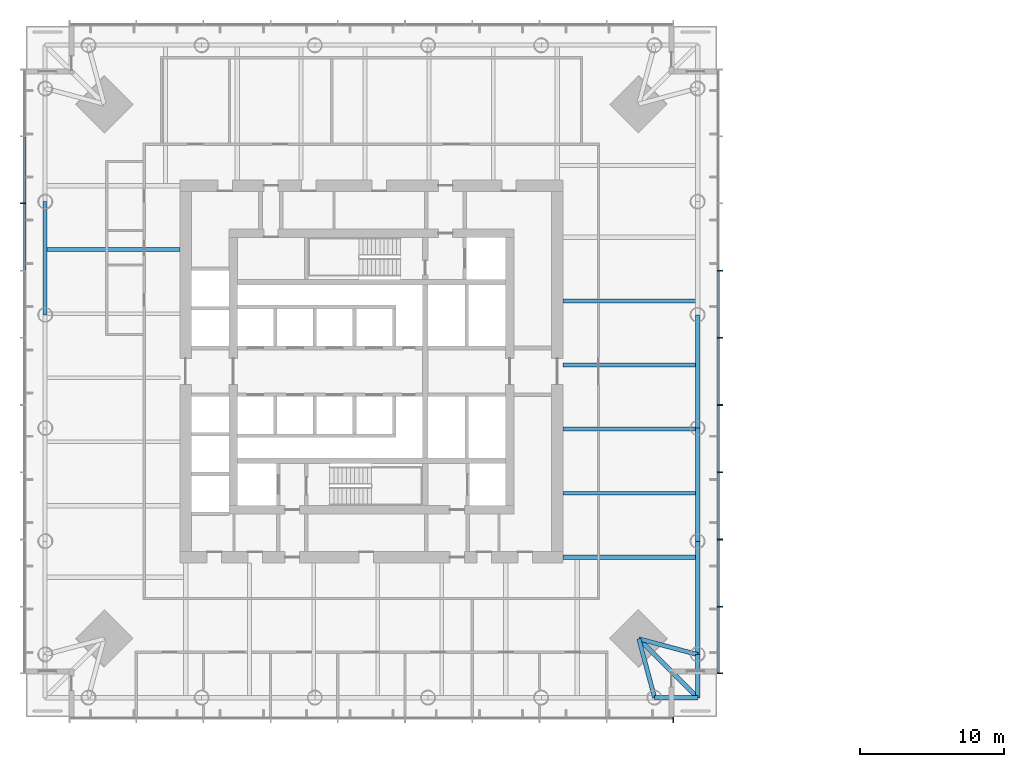
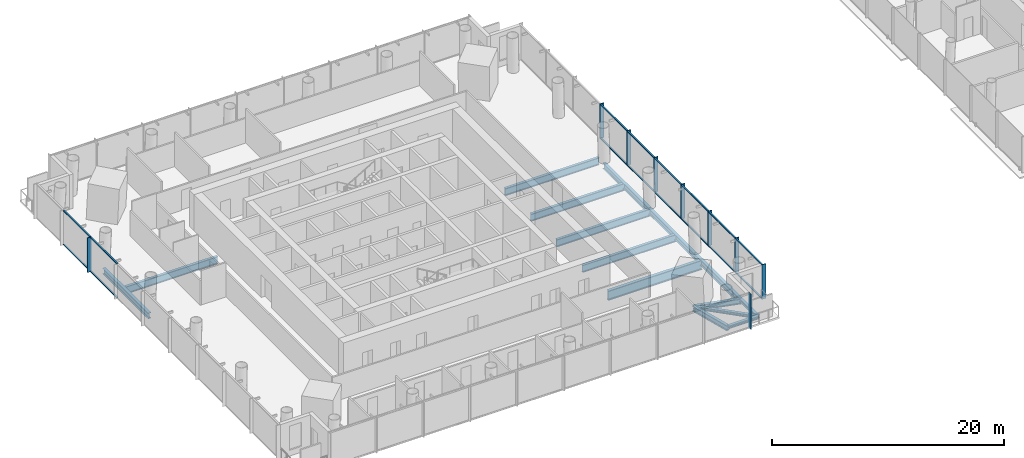
# One storey, part 3 of 22: 25 members, 15 beams, 3 elements without a shape of their own.
"""IFC4 building model written with IfcOpenShell, lengths in metres."""

from ifc_helpers import new_model, si_unit, direction, frame, origin, origin_2d, place, context, subcontext, project, spatial, rectangle, i_section, extrude, material, material_profile, profile_set, type_object, element, aggregate, save


model = new_model("IFC4")

# Units and contexts
model_context = context("Model", 3, precision=1e-05, world=origin(), true_north=direction((0.0, 1.0)))
body_context = subcontext(model_context, "Body", "Model", "MODEL_VIEW")
ifc_project = project(units=[si_unit("LENGTHUNIT", "METRE"), si_unit("AREAUNIT", "SQUARE_METRE"), si_unit("VOLUMEUNIT", "CUBIC_METRE"), si_unit("PLANEANGLEUNIT", "RADIAN"), si_unit("MASSUNIT", "GRAM", prefix="KILO")], contexts=[model_context])

# Site, building, storey
site_placement = place(None, origin())
site = spatial("IfcSite", under=ifc_project, at=site_placement, CompositionType="ELEMENT")
building_placement = place(site_placement, origin())
building = spatial("IfcBuilding", under=site, at=building_placement, Name="Ostroluk Exchange", CompositionType="ELEMENT")
storey_placement = place(building_placement, frame((0.0, 0.0, 62.800048828125)))
storey = spatial("IfcBuildingStorey", under=building, at=storey_placement, Name="L15", CompositionType="ELEMENT", Elevation=62.800048828125)

# Beams
ifc_material_1 = material(Name="Steel S355", Category="steel")
ifc_material_profile_1 = material_profile(ifc_material_1, i_section(OverallWidth=0.300048828125, OverallDepth=0.300048828125, WebThickness=0.010986328125, FlangeThickness=0.01904296875, FilletRadius=0.027099609375, at=origin_2d()), Name="HEB 300")
ifc_profile_set_1 = profile_set([ifc_material_profile_1], Name="Steel S355")
beam_type_1 = type_object("IfcBeamType", Name="Balcony beam HEB 300", PredefinedType="BEAM", material=ifc_profile_set_1)
for number, where, z_axis, x_axis, name in (
    (1, (64.664306640625, 23.335693359375, -0.330078125), (1.0, 0.0, 0.0), (0.0, 1.0, 0.0), "T1 south balcony beam a"),
    (2, (67.664306640625, 26.335693359375, -0.330078125), (0.0, -1.0, 0.0), (1.0, 0.0, 0.0), "T1 south balcony beam b"),
):
    element("IfcBeam", number, at=place(storey_placement, frame(where, z_axis=z_axis, x_axis=x_axis)), inside=storey, type_object=beam_type_1, Name=name, PredefinedType="BEAM", context=body_context, shape_type="SweptSolid", body=[
        extrude(i_section(OverallWidth=0.300048828125, OverallDepth=0.300048828125, WebThickness=0.010986328125, FlangeThickness=0.01904296875, FilletRadius=0.027099609375, at=origin_2d()), origin(), (0.0, 0.0, 1.0), 3.0),
    ])
beam_1_placement = place(storey_placement, frame((63.564208984375, 27.435791015625, -0.330078125), z_axis=(0.707106781187, -0.707106781187, 0.0), x_axis=(0.707106781187, 0.707106781187, 0.0)))
element("IfcBeam", 3, at=beam_1_placement, inside=storey, type_object=beam_type_1, Name="T1 south balcony beam c", PredefinedType="BEAM", context=body_context, shape_type="SweptSolid", body=[
    extrude(i_section(OverallWidth=0.300048828125, OverallDepth=0.300048828125, WebThickness=0.010986328125, FlangeThickness=0.01904296875, FilletRadius=0.027099609375, at=origin_2d()), origin(), (0.0, 0.0, 1.0), 5.79833984375),
])
ifc_material_2 = material(Name="Steel S355", Category="steel")
ifc_material_profile_2 = material_profile(ifc_material_2, i_section(OverallWidth=0.300048828125, OverallDepth=0.550048828125, WebThickness=0.014892578125, FlangeThickness=0.029052734375, FilletRadius=0.027099609375, at=origin_2d()), Name="HEB 550")
ifc_profile_set_2 = profile_set([ifc_material_profile_2], Name="Steel S355")
beam_type_2 = type_object("IfcBeamType", Name="Corner edge beam HEB 550", PredefinedType="SPANDREL", material=ifc_profile_set_2)
for number, where, z_axis, x_axis, name in (
    (4, (63.564208984375, 27.435791015625, -0.455078125), (0.259144268261, -0.965838624319, 0.0), (0.965838624319, 0.259144268261, 0.0), "T1 south corner edge beam a"),
    (5, (63.564208984375, 27.435791015625, -0.455078125), (0.965838624319, -0.259144268261, 0.0), (0.259144268261, 0.965838624319, 0.0), "T1 south corner edge beam b"),
):
    element("IfcBeam", number, at=place(storey_placement, frame(where, z_axis=z_axis, x_axis=x_axis)), inside=storey, type_object=beam_type_2, Name=name, PredefinedType="SPANDREL", context=body_context, shape_type="SweptSolid", body=[
        extrude(i_section(OverallWidth=0.300048828125, OverallDepth=0.550048828125, WebThickness=0.014892578125, FlangeThickness=0.029052734375, FilletRadius=0.027099609375, at=origin_2d()), origin(), (0.0, 0.0, 1.0), 4.2451171875),
    ])
ifc_material_3 = material(Name="Steel S355", Category="steel")
ifc_material_profile_3 = material_profile(ifc_material_3, i_section(OverallWidth=0.26806640625, OverallDepth=0.77001953125, WebThickness=0.015625, FlangeThickness=0.025390625, FilletRadius=0.01708984375, at=origin_2d()), Name="IPE 750x196")
ifc_profile_set_3 = profile_set([ifc_material_profile_3], Name="Steel S355")
beam_type_3 = type_object("IfcBeamType", Name="Floor beam IPE 750x196", PredefinedType="BEAM", material=ifc_profile_set_3)
for number, where, z_axis, x_axis, name in (
    (6, (58.300048828125, 37.545654296875, -0.56494140625), (1.0, 0.0, 0.0), (0.0, 1.0, 0.0), "T1 east floor beam 1"),
    (7, (58.300048828125, 41.990966796875, -0.56494140625), (1.0, 0.0, 0.0), (0.0, 1.0, 0.0), "T1 east floor beam 2"),
    (8, (58.300048828125, 46.4365234375, -0.56494140625), (1.0, 0.0, 0.0), (0.0, 1.0, 0.0), "T1 east floor beam 3"),
    (9, (58.300048828125, 50.882080078125, -0.56494140625), (1.0, 0.0, 0.0), (0.0, 1.0, 0.0), "T1 east floor beam 4"),
    (10, (31.699951171875, 54.454345703125, -0.56494140625), (-1.0, 0.0, 0.0), (0.0, -1.0, 0.0), "T1 west floor beam 1"),
):
    element("IfcBeam", number, at=place(storey_placement, frame(where, z_axis=z_axis, x_axis=x_axis)), inside=storey, type_object=beam_type_3, Name=name, PredefinedType="BEAM", context=body_context, shape_type="SweptSolid", body=[
        extrude(i_section(OverallWidth=0.26806640625, OverallDepth=0.77001953125, WebThickness=0.015625, FlangeThickness=0.025390625, FilletRadius=0.01708984375, at=origin_2d()), origin(), (0.0, 0.0, 1.0), 9.3642578125),
    ])
ifc_material_4 = material(Name="Steel S355", Category="steel")
ifc_material_profile_4 = material_profile(ifc_material_4, i_section(OverallWidth=0.302001953125, OverallDepth=1.008056640625, WebThickness=0.02099609375, FlangeThickness=0.0400390625, FilletRadius=0.030029296875, at=origin_2d()), Name="HEM 1000")
ifc_profile_set_4 = profile_set([ifc_material_profile_4], Name="Steel S355")
beam_type_4 = type_object("IfcBeamType", Name="Girder HEM 1000", PredefinedType="BEAM", material=ifc_profile_set_4)
beam_2_placement = place(storey_placement, frame((58.300048828125, 33.10009765625, -0.68408203125), z_axis=(1.0, 0.0, 0.0), x_axis=(0.0, 1.0, 0.0)))
element("IfcBeam", 11, at=beam_2_placement, inside=storey, type_object=beam_type_4, Name="T1 south girder", PredefinedType="BEAM", context=body_context, shape_type="SweptSolid", body=[
    extrude(i_section(OverallWidth=0.302001953125, OverallDepth=1.008056640625, WebThickness=0.02099609375, FlangeThickness=0.0400390625, FilletRadius=0.030029296875, at=origin_2d()), origin(), (0.0, 0.0, 1.0), 9.3642578125),
])
ifc_material_5 = material(Name="Steel S355", Category="steel")
ifc_material_profile_5 = material_profile(ifc_material_5, i_section(OverallWidth=0.300048828125, OverallDepth=0.60009765625, WebThickness=0.015380859375, FlangeThickness=0.030029296875, FilletRadius=0.027099609375, at=origin_2d()), Name="HEB 600")
ifc_profile_set_5 = profile_set([ifc_material_profile_5], Name="Steel S355")
beam_type_5 = type_object("IfcBeamType", Name="Moment-connected edge beam HEB 600", PredefinedType="SPANDREL", material=ifc_profile_set_5)
for number, where, z_axis, x_axis, name in (
    (12, (67.664306640625, 26.335693359375, -0.47998046875), (0.0, 1.0, 0.0), (-1.0, 0.0, 0.0), "T1 east edge beam 1"),
    (13, (67.664306640625, 34.201416015625, -0.47998046875), (0.0, 1.0, 0.0), (-1.0, 0.0, 0.0), "T1 east edge beam 2"),
    (14, (67.664306640625, 42.067138671875, -0.47998046875), (0.0, 1.0, 0.0), (-1.0, 0.0, 0.0), "T1 east edge beam 3"),
    (15, (22.335693359375, 57.798583984375, -0.47998046875), (0.0, -1.0, 0.0), (1.0, 0.0, 0.0), "T1 west edge beam 2"),
):
    element("IfcBeam", number, at=place(storey_placement, frame(where, z_axis=z_axis, x_axis=x_axis)), inside=storey, type_object=beam_type_5, Name=name, PredefinedType="SPANDREL", context=body_context, shape_type="SweptSolid", body=[
        extrude(i_section(OverallWidth=0.300048828125, OverallDepth=0.60009765625, WebThickness=0.015380859375, FlangeThickness=0.030029296875, FilletRadius=0.027099609375, at=origin_2d()), origin(), (0.0, 0.0, 1.0), 7.86572265625),
    ])

# Curtain wall, members
ifc_material_6 = material(Name="Laminated clear glass", Category="glass")
curtain_wall_type = type_object("IfcCurtainWallType", Name="Office tower facade", PredefinedType="USERDEFINED", material=ifc_material_6)
curtain_wall_1_placement = place(storey_placement, origin())
curtain_wall_1 = element("IfcCurtainWall", 16, at=curtain_wall_1_placement, inside=storey, type_object=curtain_wall_type, Name="Office tower east facade L15", ObjectType="UNITISED CURTAIN WALL", PredefinedType="USERDEFINED")
ifc_material_7 = material(Name="Aluminium mullion", Category="aluminium")
ifc_material_profile_6 = material_profile(ifc_material_7, rectangle(XDim=0.14990234375, YDim=0.080078125, at=origin_2d()), Name="Sill transom 80 x 150")
ifc_profile_set_6 = profile_set([ifc_material_profile_6], Name="Aluminium mullion")
member_type_1 = type_object("IfcMemberType", Name="Sill transom 80 x 150", PredefinedType="USERDEFINED", material=ifc_profile_set_6)
member_1_placement = place(storey_placement, frame((69.074951171875, 25.080078125, 0.0400390625), z_axis=(0.0, 1.0, 0.0), x_axis=(-1.0, 0.0, 0.0)))
member_1 = element("IfcMember", 17, at=member_1_placement, type_object=member_type_1, Name="CW-O1 transom 1.1", ObjectType="TRANSOM", PredefinedType="USERDEFINED", context=body_context, shape_type="SweptSolid", body=[
    extrude(rectangle(XDim=0.14990234375, YDim=0.080078125, at=origin_2d()), origin(), (0.0, 0.0, 1.0), 4.546630859375),
])
member_2_placement = place(storey_placement, frame((69.074951171875, 25.080078125, 3.60986328125), z_axis=(0.0, 1.0, 0.0), x_axis=(-1.0, 0.0, 0.0)))
member_2 = element("IfcMember", 18, at=member_2_placement, type_object=member_type_1, Name="CW-O1 transom 1.2", ObjectType="TRANSOM", PredefinedType="USERDEFINED", context=body_context, shape_type="SweptSolid", body=[
    extrude(rectangle(XDim=0.14990234375, YDim=0.080078125, at=origin_2d()), origin(), (0.0, 0.0, 1.0), 4.546630859375),
])
member_3_placement = place(storey_placement, frame((69.074951171875, 29.706787109375, 0.0400390625), z_axis=(0.0, 1.0, 0.0), x_axis=(-1.0, 0.0, 0.0)))
member_3 = element("IfcMember", 19, at=member_3_placement, type_object=member_type_1, Name="CW-O1 transom 2.1", ObjectType="TRANSOM", PredefinedType="USERDEFINED", context=body_context, shape_type="SweptSolid", body=[
    extrude(rectangle(XDim=0.14990234375, YDim=0.080078125, at=origin_2d()), origin(), (0.0, 0.0, 1.0), 4.58642578125),
])
member_4_placement = place(storey_placement, frame((69.074951171875, 29.706787109375, 3.60986328125), z_axis=(0.0, 1.0, 0.0), x_axis=(-1.0, 0.0, 0.0)))
member_4 = element("IfcMember", 20, at=member_4_placement, type_object=member_type_1, Name="CW-O1 transom 2.2", ObjectType="TRANSOM", PredefinedType="USERDEFINED", context=body_context, shape_type="SweptSolid", body=[
    extrude(rectangle(XDim=0.14990234375, YDim=0.080078125, at=origin_2d()), origin(), (0.0, 0.0, 1.0), 4.58642578125),
])
member_5_placement = place(storey_placement, frame((69.074951171875, 34.373291015625, 0.0400390625), z_axis=(0.0, 1.0, 0.0), x_axis=(-1.0, 0.0, 0.0)))
member_5 = element("IfcMember", 21, at=member_5_placement, type_object=member_type_1, Name="CW-O1 transom 3.1", ObjectType="TRANSOM", PredefinedType="USERDEFINED", context=body_context, shape_type="SweptSolid", body=[
    extrude(rectangle(XDim=0.14990234375, YDim=0.080078125, at=origin_2d()), origin(), (0.0, 0.0, 1.0), 4.586669921875),
])
member_6_placement = place(storey_placement, frame((69.074951171875, 34.373291015625, 3.60986328125), z_axis=(0.0, 1.0, 0.0), x_axis=(-1.0, 0.0, 0.0)))
member_6 = element("IfcMember", 22, at=member_6_placement, type_object=member_type_1, Name="CW-O1 transom 3.2", ObjectType="TRANSOM", PredefinedType="USERDEFINED", context=body_context, shape_type="SweptSolid", body=[
    extrude(rectangle(XDim=0.14990234375, YDim=0.080078125, at=origin_2d()), origin(), (0.0, 0.0, 1.0), 4.586669921875),
])
member_7_placement = place(storey_placement, frame((69.074951171875, 39.0400390625, 0.0400390625), z_axis=(0.0, 1.0, 0.0), x_axis=(-1.0, 0.0, 0.0)))
member_7 = element("IfcMember", 23, at=member_7_placement, type_object=member_type_1, Name="CW-O1 transom 4.1", ObjectType="TRANSOM", PredefinedType="USERDEFINED", context=body_context, shape_type="SweptSolid", body=[
    extrude(rectangle(XDim=0.14990234375, YDim=0.080078125, at=origin_2d()), origin(), (0.0, 0.0, 1.0), 4.586669921875),
])
member_8_placement = place(storey_placement, frame((69.074951171875, 39.0400390625, 3.60986328125), z_axis=(0.0, 1.0, 0.0), x_axis=(-1.0, 0.0, 0.0)))
member_8 = element("IfcMember", 24, at=member_8_placement, type_object=member_type_1, Name="CW-O1 transom 4.2", ObjectType="TRANSOM", PredefinedType="USERDEFINED", context=body_context, shape_type="SweptSolid", body=[
    extrude(rectangle(XDim=0.14990234375, YDim=0.080078125, at=origin_2d()), origin(), (0.0, 0.0, 1.0), 4.586669921875),
])
member_9_placement = place(storey_placement, frame((69.074951171875, 43.706787109375, 0.0400390625), z_axis=(0.0, 1.0, 0.0), x_axis=(-1.0, 0.0, 0.0)))
member_9 = element("IfcMember", 25, at=member_9_placement, type_object=member_type_1, Name="CW-O1 transom 5.1", ObjectType="TRANSOM", PredefinedType="USERDEFINED", context=body_context, shape_type="SweptSolid", body=[
    extrude(rectangle(XDim=0.14990234375, YDim=0.080078125, at=origin_2d()), origin(), (0.0, 0.0, 1.0), 4.58642578125),
])
member_10_placement = place(storey_placement, frame((69.074951171875, 43.706787109375, 3.60986328125), z_axis=(0.0, 1.0, 0.0), x_axis=(-1.0, 0.0, 0.0)))
member_10 = element("IfcMember", 26, at=member_10_placement, type_object=member_type_1, Name="CW-O1 transom 5.2", ObjectType="TRANSOM", PredefinedType="USERDEFINED", context=body_context, shape_type="SweptSolid", body=[
    extrude(rectangle(XDim=0.14990234375, YDim=0.080078125, at=origin_2d()), origin(), (0.0, 0.0, 1.0), 4.58642578125),
])
member_11_placement = place(storey_placement, frame((69.074951171875, 48.373291015625, 0.0400390625), z_axis=(0.0, 1.0, 0.0), x_axis=(-1.0, 0.0, 0.0)))
member_11 = element("IfcMember", 27, at=member_11_placement, type_object=member_type_1, Name="CW-O1 transom 6.1", ObjectType="TRANSOM", PredefinedType="USERDEFINED", context=body_context, shape_type="SweptSolid", body=[
    extrude(rectangle(XDim=0.14990234375, YDim=0.080078125, at=origin_2d()), origin(), (0.0, 0.0, 1.0), 4.586669921875),
])
member_12_placement = place(storey_placement, frame((69.074951171875, 48.373291015625, 3.60986328125), z_axis=(0.0, 1.0, 0.0), x_axis=(-1.0, 0.0, 0.0)))
member_12 = element("IfcMember", 28, at=member_12_placement, type_object=member_type_1, Name="CW-O1 transom 6.2", ObjectType="TRANSOM", PredefinedType="USERDEFINED", context=body_context, shape_type="SweptSolid", body=[
    extrude(rectangle(XDim=0.14990234375, YDim=0.080078125, at=origin_2d()), origin(), (0.0, 0.0, 1.0), 4.586669921875),
])

curtain_wall_2_placement = place(storey_placement, origin())
curtain_wall_2 = element("IfcCurtainWall", 29, at=curtain_wall_2_placement, inside=storey, type_object=curtain_wall_type, Name="Office tower west facade L15", ObjectType="UNITISED CURTAIN WALL", PredefinedType="USERDEFINED")
member_13_placement = place(storey_placement, frame((20.925048828125, 62.293212890625, 0.0400390625), z_axis=(0.0, -1.0, 0.0), x_axis=(1.0, 0.0, 0.0)))
member_13 = element("IfcMember", 30, at=member_13_placement, type_object=member_type_1, Name="CW-O1 transom 2.1", ObjectType="TRANSOM", PredefinedType="USERDEFINED", context=body_context, shape_type="SweptSolid", body=[
    extrude(rectangle(XDim=0.14990234375, YDim=0.080078125, at=origin_2d()), origin(), (0.0, 0.0, 1.0), 4.58642578125),
])
member_14_placement = place(storey_placement, frame((20.925048828125, 62.293212890625, 3.60986328125), z_axis=(0.0, -1.0, 0.0), x_axis=(1.0, 0.0, 0.0)))
member_14 = element("IfcMember", 31, at=member_14_placement, type_object=member_type_1, Name="CW-O1 transom 2.2", ObjectType="TRANSOM", PredefinedType="USERDEFINED", context=body_context, shape_type="SweptSolid", body=[
    extrude(rectangle(XDim=0.14990234375, YDim=0.080078125, at=origin_2d()), origin(), (0.0, 0.0, 1.0), 4.58642578125),
])
member_15_placement = place(storey_placement, frame((20.925048828125, 57.626708984375, 0.0400390625), z_axis=(0.0, -1.0, 0.0), x_axis=(1.0, 0.0, 0.0)))
member_15 = element("IfcMember", 32, at=member_15_placement, type_object=member_type_1, Name="CW-O1 transom 3.1", ObjectType="TRANSOM", PredefinedType="USERDEFINED", context=body_context, shape_type="SweptSolid", body=[
    extrude(rectangle(XDim=0.14990234375, YDim=0.080078125, at=origin_2d()), origin(), (0.0, 0.0, 1.0), 4.586669921875),
])
member_16_placement = place(storey_placement, frame((20.925048828125, 57.626708984375, 3.60986328125), z_axis=(0.0, -1.0, 0.0), x_axis=(1.0, 0.0, 0.0)))
member_16 = element("IfcMember", 33, at=member_16_placement, type_object=member_type_1, Name="CW-O1 transom 3.2", ObjectType="TRANSOM", PredefinedType="USERDEFINED", context=body_context, shape_type="SweptSolid", body=[
    extrude(rectangle(XDim=0.14990234375, YDim=0.080078125, at=origin_2d()), origin(), (0.0, 0.0, 1.0), 4.586669921875),
])

# Curtain wall, member
curtain_wall_3_placement = place(storey_placement, origin())
curtain_wall_3 = element("IfcCurtainWall", 34, at=curtain_wall_3_placement, inside=storey, type_object=curtain_wall_type, Name="Office tower south facade L15", ObjectType="UNITISED CURTAIN WALL", PredefinedType="USERDEFINED")
ifc_material_8 = material(Name="Aluminium mullion with limestone facing", Category="masonry")
ifc_material_profile_7 = material_profile(ifc_material_8, rectangle(XDim=0.39990234375, YDim=0.080078125, at=origin_2d()), Name="Tracery mullion 80 x 400")
ifc_profile_set_7 = profile_set([ifc_material_profile_7], Name="Aluminium mullion with limestone facing")
member_type_2 = type_object("IfcMemberType", Name="Tracery mullion 80 x 400", PredefinedType="MULLION", material=ifc_profile_set_7)
member_17_placement = place(storey_placement, frame((65.9599609375, 21.800048828125, 0.0), z_axis=(0.0, 0.0, 1.0), x_axis=(0.0, 1.0, 0.0)))
member_17 = element("IfcMember", 35, at=member_17_placement, type_object=member_type_2, Name="CW-O1 mullion 10", PredefinedType="MULLION", context=body_context, shape_type="SweptSolid", body=[
    extrude(rectangle(XDim=0.39990234375, YDim=0.080078125, at=origin_2d()), origin(), (0.0, 0.0, 1.0), 3.64990234375),
])
aggregate(curtain_wall_3, [member_17])

# Member
member_18_placement = place(storey_placement, frame((69.199951171875, 25.0400390625, 0.0), z_axis=(0.0, 0.0, 1.0), x_axis=(-1.0, 0.0, 0.0)))
member_18 = element("IfcMember", 36, at=member_18_placement, type_object=member_type_2, Name="CW-O1 mullion 1", PredefinedType="MULLION", context=body_context, shape_type="SweptSolid", body=[
    extrude(rectangle(XDim=0.39990234375, YDim=0.080078125, at=origin_2d()), origin(), (0.0, 0.0, 1.0), 3.64990234375),
])

member_19_placement = place(storey_placement, frame((69.199951171875, 29.666748046875, 0.0), z_axis=(0.0, 0.0, 1.0), x_axis=(-1.0, 0.0, 0.0)))
member_19 = element("IfcMember", 37, at=member_19_placement, type_object=member_type_2, Name="CW-O1 mullion 2", PredefinedType="MULLION", context=body_context, shape_type="SweptSolid", body=[
    extrude(rectangle(XDim=0.39990234375, YDim=0.080078125, at=origin_2d()), origin(), (0.0, 0.0, 1.0), 3.64990234375),
])

member_20_placement = place(storey_placement, frame((69.199951171875, 34.333251953125, 0.0), z_axis=(0.0, 0.0, 1.0), x_axis=(-1.0, 0.0, 0.0)))
member_20 = element("IfcMember", 38, at=member_20_placement, type_object=member_type_2, Name="CW-O1 mullion 3", PredefinedType="MULLION", context=body_context, shape_type="SweptSolid", body=[
    extrude(rectangle(XDim=0.39990234375, YDim=0.080078125, at=origin_2d()), origin(), (0.0, 0.0, 1.0), 3.64990234375),
])

member_21_placement = place(storey_placement, frame((69.199951171875, 39.0, 0.0), z_axis=(0.0, 0.0, 1.0), x_axis=(-1.0, 0.0, 0.0)))
member_21 = element("IfcMember", 39, at=member_21_placement, type_object=member_type_2, Name="CW-O1 mullion 4", PredefinedType="MULLION", context=body_context, shape_type="SweptSolid", body=[
    extrude(rectangle(XDim=0.39990234375, YDim=0.080078125, at=origin_2d()), origin(), (0.0, 0.0, 1.0), 3.64990234375),
])

member_22_placement = place(storey_placement, frame((69.199951171875, 43.666748046875, 0.0), z_axis=(0.0, 0.0, 1.0), x_axis=(-1.0, 0.0, 0.0)))
member_22 = element("IfcMember", 40, at=member_22_placement, type_object=member_type_2, Name="CW-O1 mullion 5", PredefinedType="MULLION", context=body_context, shape_type="SweptSolid", body=[
    extrude(rectangle(XDim=0.39990234375, YDim=0.080078125, at=origin_2d()), origin(), (0.0, 0.0, 1.0), 3.64990234375),
])

member_23_placement = place(storey_placement, frame((69.199951171875, 48.333251953125, 0.0), z_axis=(0.0, 0.0, 1.0), x_axis=(-1.0, 0.0, 0.0)))
member_23 = element("IfcMember", 41, at=member_23_placement, type_object=member_type_2, Name="CW-O1 mullion 6", PredefinedType="MULLION", context=body_context, shape_type="SweptSolid", body=[
    extrude(rectangle(XDim=0.39990234375, YDim=0.080078125, at=origin_2d()), origin(), (0.0, 0.0, 1.0), 3.64990234375),
])

member_24_placement = place(storey_placement, frame((69.199951171875, 53.0, 0.0), z_axis=(0.0, 0.0, 1.0), x_axis=(-1.0, 0.0, 0.0)))
member_24 = element("IfcMember", 42, at=member_24_placement, type_object=member_type_2, Name="CW-O1 mullion 7", PredefinedType="MULLION", context=body_context, shape_type="SweptSolid", body=[
    extrude(rectangle(XDim=0.39990234375, YDim=0.080078125, at=origin_2d()), origin(), (0.0, 0.0, 1.0), 3.64990234375),
])

aggregate(curtain_wall_1, [member_18, member_19, member_20, member_21, member_22, member_23, member_24, member_1, member_2, member_3, member_4, member_5, member_6, member_7, member_8, member_9, member_10, member_11, member_12])

member_25_placement = place(storey_placement, frame((20.800048828125, 57.666748046875, 0.0), z_axis=(0.0, 0.0, 1.0), x_axis=(1.0, 0.0, 0.0)))
member_25 = element("IfcMember", 43, at=member_25_placement, type_object=member_type_2, Name="CW-O1 mullion 3", PredefinedType="MULLION", context=body_context, shape_type="SweptSolid", body=[
    extrude(rectangle(XDim=0.39990234375, YDim=0.080078125, at=origin_2d()), origin(), (0.0, 0.0, 1.0), 3.64990234375),
])

aggregate(curtain_wall_2, [member_25, member_13, member_14, member_15, member_16])

save(model, "model.ifc")
